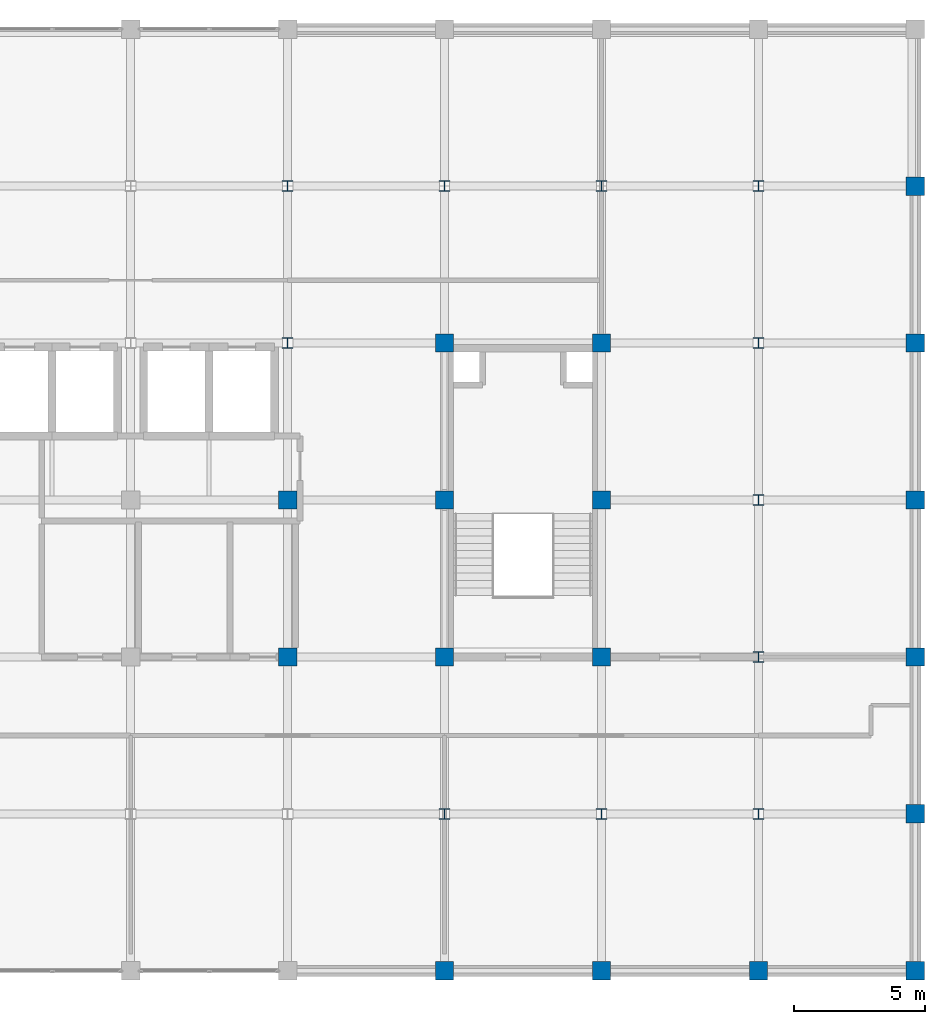
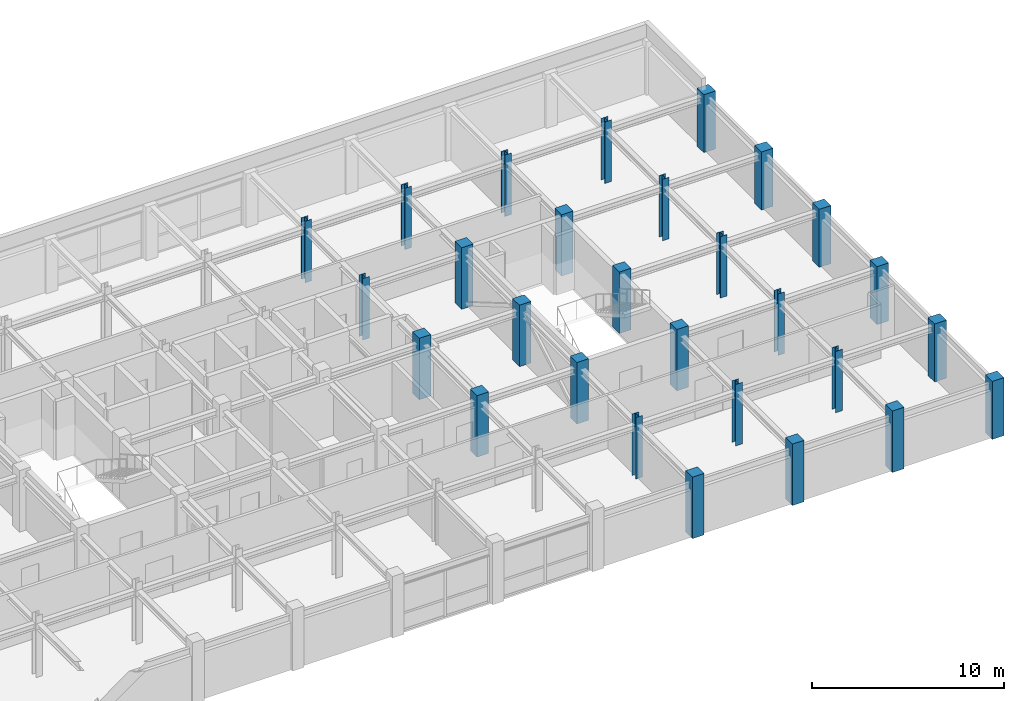
# One storey, part 2 of 12: 28 columns.
"""IFC4 building model written with IfcOpenShell, lengths in metres."""

import ifcopenshell
import ifcopenshell.guid

model = None  # the IFC model being written
_history = None  # IfcOwnerHistory: only IFC2X3 demands one
_inside = {}  # id of a spatial element -> (the spatial element, [elements in it])
_under = {}  # id of a project, library or spatial element -> (it, [spatial elements below it])
_declared = {}  # id of a project -> (the project, [libraries it declares])
_typed = {}  # id of a type object -> (the type object, [elements of that type])
_made_of = {}  # id of a material, layer set ... -> (it, [elements and type objects made of it])


def new_model(schema):
    """Start an empty IFC model of exactly this schema.

    Asked for "IFC4X3", IfcOpenShell would pick the latest addendum, in which some entities
    have other attributes; the version numbers below select the first issue.
    IFC2X3 requires an IfcOwnerHistory on every rooted entity: one is made here for all.
    """
    global model, _history
    if schema == "IFC4X3":
        model = ifcopenshell.file(schema_version=(4, 3, 0, 0))
    else:
        model = ifcopenshell.file(schema=schema)
    _inside.clear()
    _under.clear()
    _declared.clear()
    _typed.clear()
    _made_of.clear()
    _history = None
    if model.schema == "IFC2X3":
        org = make("IfcOrganization", Name="unknown")
        user = make(
            "IfcPersonAndOrganization",
            ThePerson=make("IfcPerson", FamilyName="unknown"),
            TheOrganization=org,
        )
        app = make(
            "IfcApplication",
            ApplicationDeveloper=org,
            Version="unknown",
            ApplicationFullName="unknown",
            ApplicationIdentifier="unknown",
        )
        _history = make(
            "IfcOwnerHistory",
            OwningUser=user,
            OwningApplication=app,
            ChangeAction="ADDED",
            CreationDate=0,
        )
    return model


def make(cls, **values):
    """One entity of the class cls with the attributes given. An attribute that is None is left unset."""
    return model.create_entity(
        cls, **{name: value for name, value in values.items() if value is not None}
    )


def rooted(cls, **values):
    """An entity with a GlobalId (a new one), such as an element, a storey or a relation."""
    return make(cls, GlobalId=ifcopenshell.guid.new(), OwnerHistory=_history, **values)


def si_unit(unit_type, name, prefix=None):
    """IfcSIUnit, for example si_unit("LENGTHUNIT", "METRE", prefix="MILLI")."""
    return make("IfcSIUnit", UnitType=unit_type, Prefix=prefix, Name=name)


def assignment(units):
    """IfcUnitAssignment: the units of a project."""
    return None if units is None else make("IfcUnitAssignment", Units=units)


def point(xyz):
    """IfcCartesianPoint."""
    return None if xyz is None else make("IfcCartesianPoint", Coordinates=xyz)


def direction(xyz):
    """IfcDirection."""
    return None if xyz is None else make("IfcDirection", DirectionRatios=xyz)


def frame(location, z_axis=None, x_axis=None):
    """IfcAxis2Placement3D, a coordinate frame: its origin and axes. An axis left out is left unset."""
    return make(
        "IfcAxis2Placement3D",
        Location=point(location),
        Axis=direction(z_axis),
        RefDirection=direction(x_axis),
    )


def frame_2d(location, x_axis=None):
    """IfcAxis2Placement2D, a coordinate frame in the plane: its origin and x axis."""
    return make(
        "IfcAxis2Placement2D", Location=point(location), RefDirection=direction(x_axis)
    )


def origin():
    """The frame at (0, 0, 0) with its axes left unset."""
    return frame((0.0, 0.0, 0.0))


def origin_2d():
    """The frame at (0, 0) in the plane with its x axis left unset."""
    return frame_2d((0.0, 0.0))


def place(relative_to, where):
    """IfcLocalPlacement: puts the frame where relative to a parent placement (None: the world)."""
    return make(
        "IfcLocalPlacement", PlacementRelTo=relative_to, RelativePlacement=where
    )


def context(
    kind, dimensions, precision=None, world=None, true_north=None, identifier=None
):
    """IfcGeometricRepresentationContext, for example the 3D "Model" context."""
    return make(
        "IfcGeometricRepresentationContext",
        ContextIdentifier=identifier,
        ContextType=kind,
        CoordinateSpaceDimension=dimensions,
        Precision=precision,
        WorldCoordinateSystem=world,
        TrueNorth=true_north,
    )


def subcontext(parent, identifier, kind, view, scale=None):
    """IfcGeometricRepresentationSubContext, for example "Body" below "Model"."""
    return make(
        "IfcGeometricRepresentationSubContext",
        ContextIdentifier=identifier,
        ContextType=kind,
        ParentContext=parent,
        TargetScale=scale,
        TargetView=view,
    )


def project(units=None, contexts=None):
    """IfcProject with its units and contexts."""
    return rooted(
        "IfcProject",
        Name="project",
        RepresentationContexts=contexts,
        UnitsInContext=assignment(units),
    )


def spatial(cls, under=None, at=None, **own):
    """A site, building, storey or space (cls), placed at a placement, below another one or the project."""
    s = rooted(cls, ObjectPlacement=at, **own)
    if under is not None:
        _under.setdefault(under.id(), (under, []))[1].append(s)
    return s


def profile(cls, at=None, kind="AREA", **sizes):
    """A parametric profile (cls). Its sizes go by their IFC names, for example OverallWidth=200.0."""
    return make(cls, ProfileType=kind, Position=at, **sizes)


def rectangle(**sizes):
    """IfcRectangleProfileDef."""
    return profile("IfcRectangleProfileDef", **sizes)


def i_section(**sizes):
    """IfcIShapeProfileDef."""
    return profile("IfcIShapeProfileDef", **sizes)


def extrude(swept, where, along, depth):
    """IfcExtrudedAreaSolid: the profile swept, set in the frame where, extruded along a direction by depth."""
    return make(
        "IfcExtrudedAreaSolid",
        SweptArea=swept,
        Position=where,
        ExtrudedDirection=direction(along),
        Depth=depth,
    )


def shape(context_of_items, identifier, shape_type, items):
    """IfcShapeRepresentation: the items that make up one representation, for example the "Body"."""
    return make(
        "IfcShapeRepresentation",
        ContextOfItems=context_of_items,
        RepresentationIdentifier=identifier,
        RepresentationType=shape_type,
        Items=items,
    )


def material(Name=None, Category=None):
    """IfcMaterial."""
    return make("IfcMaterial", Name=Name, Category=Category)


def material_profile(
    of_material, cross_section, Name=None, Category=None, Priority=None
):
    """IfcMaterialProfile: a cross section and its material."""
    return make(
        "IfcMaterialProfile",
        Name=Name,
        Material=of_material,
        Profile=cross_section,
        Priority=Priority,
        Category=Category,
    )


def profile_set(profiles, Name=None, composite=None):
    """IfcMaterialProfileSet."""
    return make(
        "IfcMaterialProfileSet",
        Name=Name,
        MaterialProfiles=profiles,
        CompositeProfile=composite,
    )


def made_of(thing, what):
    """Note that an element or type object is made of a material, layer set ...; save() writes the relation."""
    if what is not None:
        _made_of.setdefault(what.id(), (what, []))[1].append(thing)
    return thing


def type_object(cls, material=None, **own):
    """A type object (cls), such as IfcWallType, which elements share."""
    return made_of(rooted(cls, **own), material)


def element(
    cls,
    number,
    at=None,
    inside=None,
    cuts=None,
    type_object=None,
    material=None,
    context=None,
    identifier="Body",
    shape_type=None,
    held_by="IfcProductDefinitionShape",
    body=None,
    shapes=None,
    **own,
):
    """One element of the class cls, such as IfcWall. Its Tag is "e" and its number.

    at: its placement. inside: the storey or other place that contains it. cuts: it is an
    opening in that element (IfcRelVoidsElement). A single representation is given by context,
    identifier, shape_type and body (its items); several are given by shapes. held_by: the class
    of the entity that holds the representations. save() writes the other relations.
    """
    e = rooted(cls, Tag="e%d" % number, ObjectPlacement=at, **own)
    if body is not None:
        shapes = [shape(context, identifier, shape_type, body)]
    if shapes is not None:
        e.Representation = make(held_by, Representations=shapes)
    if inside is not None:
        _inside.setdefault(inside.id(), (inside, []))[1].append(e)
    if cuts is not None:
        rooted(
            "IfcRelVoidsElement", RelatingBuildingElement=cuts, RelatedOpeningElement=e
        )
    if type_object is not None:
        _typed.setdefault(type_object.id(), (type_object, []))[1].append(e)
    return made_of(e, material)


def aggregate(whole, parts):
    """IfcRelAggregates: a whole, such as a stair, and the parts it consists of."""
    return rooted("IfcRelAggregates", RelatingObject=whole, RelatedObjects=parts)


def save(model, path):
    """Write the relations noted so far, then the file.

    IfcRelAggregates (storeys below a building ...), IfcRelContainedInSpatialStructure (elements
    in a storey), IfcRelDefinesByType, IfcRelAssociatesMaterial and IfcRelDeclares: one each for
    every whole, place, type object, material and project.
    """
    for whole, parts in _under.values():
        aggregate(whole, parts)
    for where, things in _inside.values():
        rooted(
            "IfcRelContainedInSpatialStructure",
            RelatedElements=things,
            RelatingStructure=where,
        )
    for kind, things in _typed.values():
        rooted("IfcRelDefinesByType", RelatedObjects=things, RelatingType=kind)
    for what, things in _made_of.values():
        rooted("IfcRelAssociatesMaterial", RelatedObjects=things, RelatingMaterial=what)
    for by, libraries in _declared.values():
        rooted("IfcRelDeclares", RelatingContext=by, RelatedDefinitions=libraries)
    model.write(path)


model = new_model("IFC4")

# Units and contexts
model_context = context("Model", 3, precision=1e-05, world=origin(), true_north=direction((0.0, 1.0)))
body_context = subcontext(model_context, "Body", "Model", "MODEL_VIEW")
ifc_project = project(units=[si_unit("LENGTHUNIT", "METRE"), si_unit("AREAUNIT", "SQUARE_METRE"), si_unit("VOLUMEUNIT", "CUBIC_METRE"), si_unit("PLANEANGLEUNIT", "RADIAN"), si_unit("MASSUNIT", "GRAM", prefix="KILO")], contexts=[model_context])

# Site, building, storey
site_placement = place(None, origin())
site = spatial("IfcSite", under=ifc_project, at=site_placement, CompositionType="ELEMENT")
building_placement = place(site_placement, origin())
building = spatial("IfcBuilding", under=site, at=building_placement, Name="Zlatovratsky Civic Hall", CompositionType="ELEMENT")
storey_placement = place(building_placement, frame((0.0, 0.0, 32.699951171875)))
storey = spatial("IfcBuildingStorey", under=building, at=storey_placement, Name="L08", CompositionType="ELEMENT", Elevation=32.699951171875)

# Columns
ifc_material_1 = material(Name="Concrete C35/45 (B40)", Category="concrete")
ifc_material_profile_1 = material_profile(ifc_material_1, rectangle(XDim=0.699951171875, YDim=0.699951171875, at=origin_2d()), Name="RC 700x700")
ifc_profile_set_1 = profile_set([ifc_material_profile_1], Name="Concrete C35/45 (B40)")
column_type_1 = type_object("IfcColumnType", Name="Col_CorePier_RC700", PredefinedType="COLUMN", material=ifc_profile_set_1)
for number, where, z_axis, x_axis, name in (
    (1, (96.0, 72.0, 0.0), (0.0, 0.0, 1.0), (1.0, 0.0, 0.0), "CL-2179"),
    (2, (102.0, 72.0, 0.0), (0.0, 0.0, 1.0), (1.0, 0.0, 0.0), "CL-2180"),
    (3, (108.0, 72.0, 0.0), (0.0, 0.0, 1.0), (1.0, 0.0, 0.0), "CL-2181"),
):
    element("IfcColumn", number, at=place(storey_placement, frame(where, z_axis=z_axis, x_axis=x_axis)), inside=storey, type_object=column_type_1, Name=name, PredefinedType="COLUMN", context=body_context, shape_type="SweptSolid", body=[
        extrude(rectangle(XDim=0.699951171875, YDim=0.699951171875, at=origin_2d()), origin(), (0.0, 0.0, 1.0), 3.900146484375),
    ])
for number, where, z_axis, x_axis, name in (
    (4, (114.0, 72.0, 0.0), (0.0, 0.0, 1.0), (1.0, 0.0, 0.0), "CL-2182"),
    (5, (114.0, 78.0, 0.0), (0.0, 0.0, 1.0), (1.0, 0.0, 0.0), "CL-2193"),
):
    element("IfcColumn", number, at=place(storey_placement, frame(where, z_axis=z_axis, x_axis=x_axis)), inside=storey, type_object=column_type_1, Name=name, PredefinedType="COLUMN", context=body_context, shape_type="SweptSolid", body=[
        extrude(rectangle(XDim=0.699951171875, YDim=0.699951171875, at=origin_2d()), origin(), (0.0, 0.0, 1.0), 3.679931640625),
    ])
for number, where, z_axis, x_axis, name in (
    (6, (90.0, 84.0, 0.0), (0.0, 0.0, 1.0), (1.0, 0.0, 0.0), "CL-2200"),
    (7, (96.0, 84.0, 0.0), (0.0, 0.0, 1.0), (1.0, 0.0, 0.0), "CL-2201"),
    (8, (102.0, 84.0, 0.0), (0.0, 0.0, 1.0), (1.0, 0.0, 0.0), "CL-2202"),
):
    element("IfcColumn", number, at=place(storey_placement, frame(where, z_axis=z_axis, x_axis=x_axis)), inside=storey, type_object=column_type_1, Name=name, PredefinedType="COLUMN", context=body_context, shape_type="SweptSolid", body=[
        extrude(rectangle(XDim=0.699951171875, YDim=0.699951171875, at=origin_2d()), origin(), (0.0, 0.0, 1.0), 3.900146484375),
    ])
column_1_placement = place(storey_placement, frame((114.0, 84.0, 0.0), z_axis=(0.0, 0.0, 1.0), x_axis=(1.0, 0.0, 0.0)))
element("IfcColumn", 9, at=column_1_placement, inside=storey, type_object=column_type_1, Name="CL-2204", PredefinedType="COLUMN", context=body_context, shape_type="SweptSolid", body=[
    extrude(rectangle(XDim=0.699951171875, YDim=0.699951171875, at=origin_2d()), origin(), (0.0, 0.0, 1.0), 3.679931640625),
])
for number, where, z_axis, x_axis, name in (
    (10, (90.0, 90.0, 0.0), (0.0, 0.0, 1.0), (1.0, 0.0, 0.0), "CL-2211"),
    (11, (96.0, 90.0, 0.0), (0.0, 0.0, 1.0), (1.0, 0.0, 0.0), "CL-2212"),
    (12, (102.0, 90.0, 0.0), (0.0, 0.0, 1.0), (1.0, 0.0, 0.0), "CL-2213"),
):
    element("IfcColumn", number, at=place(storey_placement, frame(where, z_axis=z_axis, x_axis=x_axis)), inside=storey, type_object=column_type_1, Name=name, PredefinedType="COLUMN", context=body_context, shape_type="SweptSolid", body=[
        extrude(rectangle(XDim=0.699951171875, YDim=0.699951171875, at=origin_2d()), origin(), (0.0, 0.0, 1.0), 3.900146484375),
    ])
column_2_placement = place(storey_placement, frame((114.0, 90.0, 0.0), z_axis=(0.0, 0.0, 1.0), x_axis=(1.0, 0.0, 0.0)))
element("IfcColumn", 13, at=column_2_placement, inside=storey, type_object=column_type_1, Name="CL-2215", PredefinedType="COLUMN", context=body_context, shape_type="SweptSolid", body=[
    extrude(rectangle(XDim=0.699951171875, YDim=0.699951171875, at=origin_2d()), origin(), (0.0, 0.0, 1.0), 3.679931640625),
])
for number, where, z_axis, x_axis, name in (
    (14, (96.0, 96.0, 0.0), (0.0, 0.0, 1.0), (1.0, 0.0, 0.0), "CL-2223"),
    (15, (102.0, 96.0, 0.0), (0.0, 0.0, 1.0), (1.0, 0.0, 0.0), "CL-2224"),
):
    element("IfcColumn", number, at=place(storey_placement, frame(where, z_axis=z_axis, x_axis=x_axis)), inside=storey, type_object=column_type_1, Name=name, PredefinedType="COLUMN", context=body_context, shape_type="SweptSolid", body=[
        extrude(rectangle(XDim=0.699951171875, YDim=0.699951171875, at=origin_2d()), origin(), (0.0, 0.0, 1.0), 3.900146484375),
    ])
for number, where, z_axis, x_axis, name in (
    (16, (114.0, 96.0, 0.0), (0.0, 0.0, 1.0), (1.0, 0.0, 0.0), "CL-2226"),
    (17, (114.0, 102.0, 0.0), (0.0, 0.0, 1.0), (1.0, 0.0, 0.0), "CL-2237"),
):
    element("IfcColumn", number, at=place(storey_placement, frame(where, z_axis=z_axis, x_axis=x_axis)), inside=storey, type_object=column_type_1, Name=name, PredefinedType="COLUMN", context=body_context, shape_type="SweptSolid", body=[
        extrude(rectangle(XDim=0.699951171875, YDim=0.699951171875, at=origin_2d()), origin(), (0.0, 0.0, 1.0), 3.679931640625),
    ])
ifc_material_2 = material(Name="Steel S355", Category="steel")
ifc_material_profile_2 = material_profile(ifc_material_2, i_section(OverallWidth=0.39794921875, OverallDepth=0.39404296875, WebThickness=0.010986328125, FlangeThickness=0.01806640625, FilletRadius=0.02197265625, at=origin_2d()), Name="40K1")
ifc_profile_set_2 = profile_set([ifc_material_profile_2], Name="Steel S355")
column_type_2 = type_object("IfcColumnType", Name="Col_Steel_40K1", PredefinedType="COLUMN", material=ifc_profile_set_2)
for number, where, z_axis, x_axis, name in (
    (18, (96.0, 78.0, 0.0), (0.0, 0.0, 1.0), (1.0, 0.0, 0.0), "CL-2190"),
    (19, (102.0, 78.0, 0.0), (0.0, 0.0, 1.0), (1.0, 0.0, 0.0), "CL-2191"),
    (20, (108.0, 78.0, 0.0), (0.0, 0.0, 1.0), (1.0, 0.0, 0.0), "CL-2192"),
    (21, (108.0, 84.0, 0.0), (0.0, 0.0, 1.0), (1.0, 0.0, 0.0), "CL-2203"),
    (22, (108.0, 90.0, 0.0), (0.0, 0.0, 1.0), (1.0, 0.0, 0.0), "CL-2214"),
    (23, (90.0, 96.0, 0.0), (0.0, 0.0, 1.0), (1.0, 0.0, 0.0), "CL-2222"),
    (24, (108.0, 96.0, 0.0), (0.0, 0.0, 1.0), (1.0, 0.0, 0.0), "CL-2225"),
    (25, (90.0, 102.0, 0.0), (0.0, 0.0, 1.0), (1.0, 0.0, 0.0), "CL-2233"),
    (26, (96.0, 102.0, 0.0), (0.0, 0.0, 1.0), (1.0, 0.0, 0.0), "CL-2234"),
    (27, (102.0, 102.0, 0.0), (0.0, 0.0, 1.0), (1.0, 0.0, 0.0), "CL-2235"),
    (28, (108.0, 102.0, 0.0), (0.0, 0.0, 1.0), (1.0, 0.0, 0.0), "CL-2236"),
):
    element("IfcColumn", number, at=place(storey_placement, frame(where, z_axis=z_axis, x_axis=x_axis)), inside=storey, type_object=column_type_2, Name=name, PredefinedType="COLUMN", context=body_context, shape_type="SweptSolid", body=[
        extrude(i_section(OverallWidth=0.39794921875, OverallDepth=0.39404296875, WebThickness=0.010986328125, FlangeThickness=0.01806640625, FilletRadius=0.02197265625, at=origin_2d()), origin(), (0.0, 0.0, 1.0), 3.900146484375),
    ])

save(model, "model.ifc")
